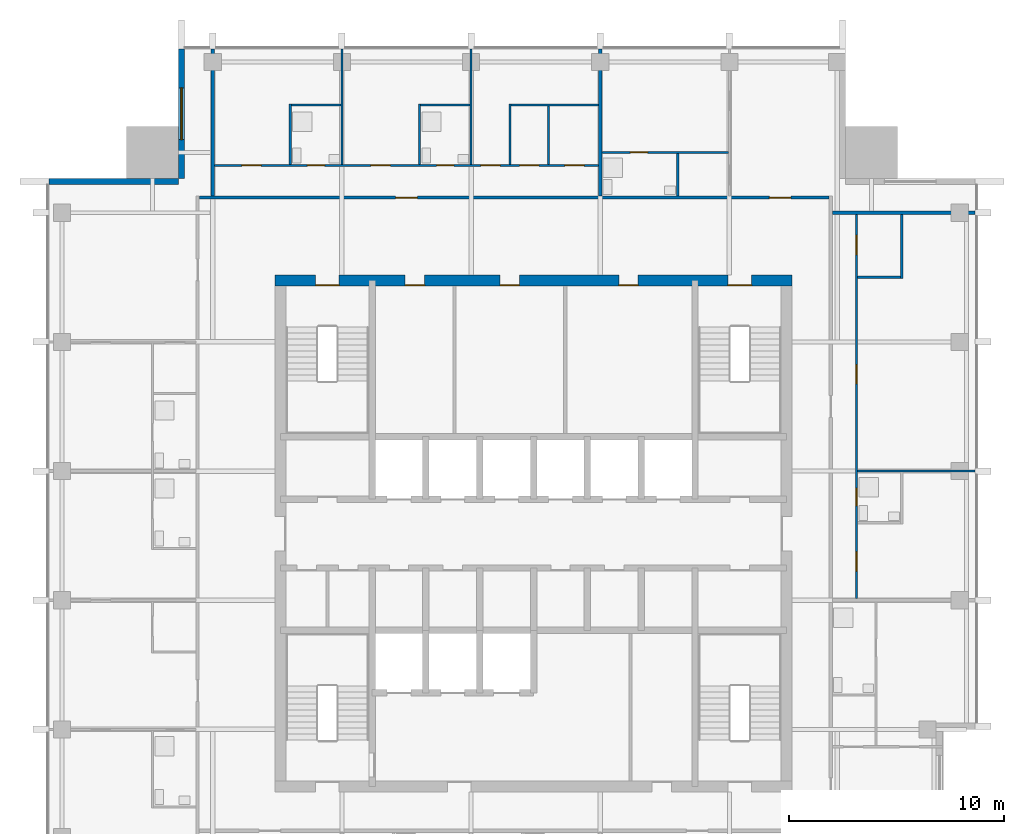
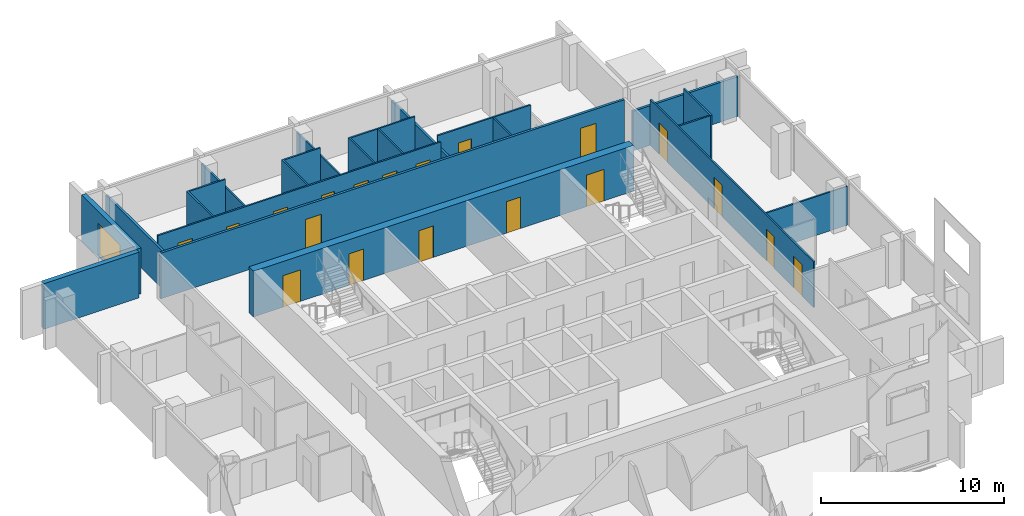
# One storey, part 6 of 9: 23 walls, 19 doors, 1 window, 20 openings.
"""IFC4 building model written with IfcOpenShell, lengths in metres."""

from ifc_helpers import new_model, si_unit, direction, frame, frame_2d, origin, place, context, subcontext, project, spatial, rectangle, extrude, material, layer, layer_set, type_object, element, fill, save


model = new_model("IFC4")

# Units and contexts
model_context = context("Model", 3, precision=1e-05, world=origin(), true_north=direction((0.0, 1.0)))
body_context = subcontext(model_context, "Body", "Model", "MODEL_VIEW")
ifc_project = project(units=[si_unit("LENGTHUNIT", "METRE"), si_unit("AREAUNIT", "SQUARE_METRE"), si_unit("VOLUMEUNIT", "CUBIC_METRE"), si_unit("PLANEANGLEUNIT", "RADIAN"), si_unit("MASSUNIT", "GRAM", prefix="KILO")], contexts=[model_context])

# Site, building, storey
site_placement = place(None, origin())
site = spatial("IfcSite", under=ifc_project, at=site_placement, CompositionType="ELEMENT")
building_placement = place(site_placement, origin())
building = spatial("IfcBuilding", under=site, at=building_placement, Name="Amberfall Residences", CompositionType="ELEMENT")
storey_placement = place(building_placement, frame((0.0, 0.0, 248.800048828125)))
storey = spatial("IfcBuildingStorey", under=building, at=storey_placement, Name="L66", CompositionType="ELEMENT", Elevation=248.800048828125)

# Wall, opening, window
ifc_material_1 = material(Name="Pale stone cladding on insulated backing", Category="masonry")
ifc_layer_1 = layer(ifc_material_1, 0.300048828125)
ifc_layer_set_1 = layer_set([ifc_layer_1], Name="Bronze clad wall 300")
wall_type_1 = type_object("IfcWallType", Name="Bronze clad wall 300", PredefinedType="SOLIDWALL", material=ifc_layer_set_1)
wall_1_placement = place(storey_placement, frame((58.14990234375, 68.0, 0.0), z_axis=(0.0, 0.0, 1.0), x_axis=(0.0, -1.0, 0.0)))
wall_1 = element("IfcWall", 1, at=wall_1_placement, inside=storey, type_object=wall_type_1, Name="External wall L66 NW", PredefinedType="SOLIDWALL", context=body_context, shape_type="SweptSolid", body=[
    extrude(rectangle(XDim=6.0, YDim=0.300048828125, at=frame_2d((3.0, 0.0))), origin(), (0.0, 0.0, 1.0), 3.050048828125),
])
opening_1_placement = place(wall_1_placement, frame((1.800048828125, 0.0, 0.14990234375)))
opening_1 = element("IfcOpeningElement", 2, at=opening_1_placement, cuts=wall_1, Name="Opening WN5", PredefinedType="OPENING", context=body_context, shape_type="SweptSolid", body=[
    extrude(rectangle(XDim=2.39990234375, YDim=2.10009765625, at=frame_2d((1.199951171875, 1.050048828125))), frame((0.0, 0.159912109375, 0.0), z_axis=(0.0, -1.0, 0.0), x_axis=(1.0, 0.0, 0.0)), (0.0, 0.0, 1.0), 0.320068359375),
])
ifc_material_2 = material(Name="Bronze aluminium framed glazing", Category="aluminium")
window_type = type_object("IfcWindowType", Name="Glazed opening 2400 x 2100 bronze", PartitioningType="DOUBLE_PANEL_VERTICAL", PredefinedType="WINDOW", material=ifc_material_2)
window_placement = place(opening_1_placement, origin())
window = element("IfcWindow", 3, at=window_placement, inside=storey, type_object=window_type, Name="Window L66 NW", OverallHeight=2.10009765625, OverallWidth=2.39990234375, PartitioningType="DOUBLE_PANEL_VERTICAL", PredefinedType="WINDOW", context=body_context, shape_type="SweptSolid", body=[
    extrude(rectangle(XDim=2.39990234375, YDim=2.10009765625, at=frame_2d((1.199951171875, 1.050048828125))), frame((0.0, 0.030029296875, 0.0), z_axis=(0.0, -1.0, 0.0), x_axis=(1.0, 0.0, 0.0)), (0.0, 0.0, 1.0), 0.06005859375),
])
fill(opening_1, window)

# Wall
wall_2_placement = place(storey_placement, frame((58.0, 61.85009765625, 0.0), z_axis=(0.0, 0.0, 1.0), x_axis=(-1.0, 0.0, 0.0)))
element("IfcWall", 4, at=wall_2_placement, inside=storey, type_object=wall_type_1, Name="External wall L66 NW", PredefinedType="SOLIDWALL", context=body_context, shape_type="SweptSolid", body=[
    extrude(rectangle(XDim=6.0, YDim=0.300048828125, at=frame_2d((3.0, 0.0))), origin(), (0.0, 0.0, 1.0), 3.050048828125),
])

# Wall, openings, doors
ifc_material_3 = material(Name="Concrete C50", Category="concrete")
ifc_layer_2 = layer(ifc_material_3, 0.5)
ifc_layer_set_2 = layer_set([ifc_layer_2], Name="Core wall 500 C50")
wall_type_2 = type_object("IfcWallType", Name="Core wall 500 C50", PredefinedType="SHEAR", material=ifc_layer_set_2)
wall_3_placement = place(storey_placement, frame((62.5, 57.25, 0.0), z_axis=(0.0, 0.0, 1.0), x_axis=(1.0, 0.0, 0.0)))
wall_3 = element("IfcWall", 5, at=wall_3_placement, inside=storey, type_object=wall_type_2, Name="Core wall RW9 L66 ON", PredefinedType="SHEAR", context=body_context, shape_type="SweptSolid", body=[
    extrude(rectangle(XDim=24.0, YDim=0.5, at=frame_2d((12.0, 0.0))), origin(), (0.0, 0.0, 1.0), 3.050048828125),
])
opening_2_placement = place(wall_3_placement, frame((21.02490234375, 0.0, 0.0)))
opening_2 = element("IfcOpeningElement", 6, at=opening_2_placement, cuts=wall_3, Name="Opening SD1", PredefinedType="OPENING", context=body_context, shape_type="SweptSolid", body=[
    extrude(rectangle(XDim=1.10009765625, YDim=2.10009765625, at=frame_2d((0.550048828125, 1.050048828125))), frame((0.0, 0.260009765625, 0.0), z_axis=(0.0, -1.0, 0.0), x_axis=(1.0, 0.0, 0.0)), (0.0, 0.0, 1.0), 0.52001953125),
])
opening_3_placement = place(wall_3_placement, frame((1.875, 0.0, 0.0)))
opening_3 = element("IfcOpeningElement", 7, at=opening_3_placement, cuts=wall_3, Name="Opening SD1", PredefinedType="OPENING", context=body_context, shape_type="SweptSolid", body=[
    extrude(rectangle(XDim=1.10009765625, YDim=2.10009765625, at=frame_2d((0.550048828125, 1.050048828125))), frame((0.0, 0.260009765625, 0.0), z_axis=(0.0, -1.0, 0.0), x_axis=(1.0, 0.0, 0.0)), (0.0, 0.0, 1.0), 0.52001953125),
])
opening_4_placement = place(wall_3_placement, frame((6.03759765625, 0.0, 0.0)))
opening_4 = element("IfcOpeningElement", 8, at=opening_4_placement, cuts=wall_3, Name="Opening RD1", PredefinedType="OPENING", context=body_context, shape_type="SweptSolid", body=[
    extrude(rectangle(XDim=0.89990234375, YDim=2.10009765625, at=frame_2d((0.449951171875, 1.050048828125))), frame((0.0, 0.260009765625, 0.0), z_axis=(0.0, -1.0, 0.0), x_axis=(1.0, 0.0, 0.0)), (0.0, 0.0, 1.0), 0.52001953125),
])
opening_5_placement = place(wall_3_placement, frame((10.447509765625, 0.0, 0.0)))
opening_5 = element("IfcOpeningElement", 9, at=opening_5_placement, cuts=wall_3, Name="Opening RD1", PredefinedType="OPENING", context=body_context, shape_type="SweptSolid", body=[
    extrude(rectangle(XDim=0.89990234375, YDim=2.10009765625, at=frame_2d((0.449951171875, 1.050048828125))), frame((0.0, 0.260009765625, 0.0), z_axis=(0.0, -1.0, 0.0), x_axis=(1.0, 0.0, 0.0)), (0.0, 0.0, 1.0), 0.52001953125),
])
opening_6_placement = place(wall_3_placement, frame((15.9599609375, 0.0, 0.0)))
opening_6 = element("IfcOpeningElement", 10, at=opening_6_placement, cuts=wall_3, Name="Opening RD1", PredefinedType="OPENING", context=body_context, shape_type="SweptSolid", body=[
    extrude(rectangle(XDim=0.89990234375, YDim=2.10009765625, at=frame_2d((0.449951171875, 1.050048828125))), frame((0.0, 0.260009765625, 0.0), z_axis=(0.0, -1.0, 0.0), x_axis=(1.0, 0.0, 0.0)), (0.0, 0.0, 1.0), 0.52001953125),
])
ifc_material_4 = material(Name="Steel fire door set", Category="steel")
door_type_1 = type_object("IfcDoorType", Name="Service room door 900 x 2100", OperationType="SINGLE_SWING_LEFT", PredefinedType="DOOR", material=ifc_material_4)
door_1_placement = place(opening_4_placement, origin())
door_1 = element("IfcDoor", 11, at=door_1_placement, inside=storey, type_object=door_type_1, Name="RD1 L66", OperationType="SINGLE_SWING_RIGHT", OverallHeight=2.10009765625, OverallWidth=0.89990234375, PredefinedType="DOOR", context=body_context, shape_type="SweptSolid", body=[
    extrude(rectangle(XDim=0.89990234375, YDim=2.10009765625, at=frame_2d((0.449951171875, 1.050048828125))), frame((0.0, -0.1875, 0.0), z_axis=(0.0, -1.0, 0.0), x_axis=(1.0, 0.0, 0.0)), (0.0, 0.0, 1.0), 0.050048828125),
])
fill(opening_4, door_1)
door_2_placement = place(opening_5_placement, origin())
door_2 = element("IfcDoor", 12, at=door_2_placement, inside=storey, type_object=door_type_1, Name="RD1 L66", OperationType="SINGLE_SWING_RIGHT", OverallHeight=2.10009765625, OverallWidth=0.89990234375, PredefinedType="DOOR", context=body_context, shape_type="SweptSolid", body=[
    extrude(rectangle(XDim=0.89990234375, YDim=2.10009765625, at=frame_2d((0.449951171875, 1.050048828125))), frame((0.0, -0.1875, 0.0), z_axis=(0.0, -1.0, 0.0), x_axis=(1.0, 0.0, 0.0)), (0.0, 0.0, 1.0), 0.050048828125),
])
fill(opening_5, door_2)
door_3_placement = place(opening_6_placement, origin())
door_3 = element("IfcDoor", 13, at=door_3_placement, inside=storey, type_object=door_type_1, Name="RD1 L66", OperationType="SINGLE_SWING_RIGHT", OverallHeight=2.10009765625, OverallWidth=0.89990234375, PredefinedType="DOOR", context=body_context, shape_type="SweptSolid", body=[
    extrude(rectangle(XDim=0.89990234375, YDim=2.10009765625, at=frame_2d((0.449951171875, 1.050048828125))), frame((0.0, -0.1875, 0.0), z_axis=(0.0, -1.0, 0.0), x_axis=(1.0, 0.0, 0.0)), (0.0, 0.0, 1.0), 0.050048828125),
])
fill(opening_6, door_3)
door_type_2 = type_object("IfcDoorType", Name="Stair door 1100 x 2100", OperationType="SINGLE_SWING_LEFT", PredefinedType="DOOR", material=ifc_material_4)
door_4_placement = place(opening_2_placement, origin())
door_4 = element("IfcDoor", 14, at=door_4_placement, inside=storey, type_object=door_type_2, Name="SD1 L66", OperationType="SINGLE_SWING_RIGHT", OverallHeight=2.10009765625, OverallWidth=1.10009765625, PredefinedType="DOOR", context=body_context, shape_type="SweptSolid", body=[
    extrude(rectangle(XDim=1.10009765625, YDim=2.10009765625, at=frame_2d((0.550048828125, 1.050048828125))), frame((0.0, -0.1875, 0.0), z_axis=(0.0, -1.0, 0.0), x_axis=(1.0, 0.0, 0.0)), (0.0, 0.0, 1.0), 0.050048828125),
])
fill(opening_2, door_4)
door_5_placement = place(opening_3_placement, origin())
door_5 = element("IfcDoor", 15, at=door_5_placement, inside=storey, type_object=door_type_2, Name="SD1 L66", OperationType="SINGLE_SWING_LEFT", OverallHeight=2.10009765625, OverallWidth=1.10009765625, PredefinedType="DOOR", context=body_context, shape_type="SweptSolid", body=[
    extrude(rectangle(XDim=1.10009765625, YDim=2.10009765625, at=frame_2d((0.550048828125, 1.050048828125))), frame((0.0, -0.1875, 0.0), z_axis=(0.0, -1.0, 0.0), x_axis=(1.0, 0.0, 0.0)), (0.0, 0.0, 1.0), 0.050048828125),
])
fill(opening_3, door_5)

# Walls
ifc_material_5 = material(Name="Gypsum board on metal stud")
ifc_layer_3 = layer(ifc_material_5, 0.10009765625)
ifc_layer_set_3 = layer_set([ifc_layer_3], Name="Flat partition 100")
wall_type_3 = type_object("IfcWallType", Name="Flat partition 100", PredefinedType="PARTITIONING", material=ifc_layer_set_3)
wall_4_placement = place(storey_placement, frame((63.199951171875, 62.64990234375, 0.0), z_axis=(0.0, 0.0, 1.0), x_axis=(0.0, 1.0, 0.0)))
element("IfcWall", 16, at=wall_4_placement, inside=storey, type_object=wall_type_3, Name="Partition 004", PredefinedType="PARTITIONING", context=body_context, shape_type="SweptSolid", body=[
    extrude(rectangle(XDim=2.800048828125, YDim=0.10009765625, at=frame_2d((1.39990234375, 0.0))), origin(), (0.0, 0.0, 1.0), 3.050048828125),
])
wall_5_placement = place(storey_placement, frame((65.60009765625, 62.64990234375, 0.0), z_axis=(0.0, 0.0, 1.0), x_axis=(0.0, 1.0, 0.0)))
element("IfcWall", 17, at=wall_5_placement, inside=storey, type_object=wall_type_3, Name="Partition 006", PredefinedType="PARTITIONING", context=body_context, shape_type="SweptSolid", body=[
    extrude(rectangle(XDim=5.35009765625, YDim=0.10009765625, at=frame_2d((2.675048828125, 0.0))), origin(), (0.0, 0.0, 1.0), 2.515869140625),
])
wall_6_placement = place(storey_placement, frame((69.199951171875, 62.64990234375, 0.0), z_axis=(0.0, 0.0, 1.0), x_axis=(0.0, 1.0, 0.0)))
element("IfcWall", 18, at=wall_6_placement, inside=storey, type_object=wall_type_3, Name="Partition 008", PredefinedType="PARTITIONING", context=body_context, shape_type="SweptSolid", body=[
    extrude(rectangle(XDim=2.800048828125, YDim=0.10009765625, at=frame_2d((1.39990234375, 0.0))), origin(), (0.0, 0.0, 1.0), 3.050048828125),
])
wall_7_placement = place(storey_placement, frame((71.60009765625, 62.64990234375, 0.0), z_axis=(0.0, 0.0, 1.0), x_axis=(0.0, 1.0, 0.0)))
element("IfcWall", 19, at=wall_7_placement, inside=storey, type_object=wall_type_3, Name="Partition 009", PredefinedType="PARTITIONING", context=body_context, shape_type="SweptSolid", body=[
    extrude(rectangle(XDim=5.35009765625, YDim=0.10009765625, at=frame_2d((2.675048828125, 0.0))), origin(), (0.0, 0.0, 1.0), 2.515869140625),
])
wall_8_placement = place(storey_placement, frame((73.39990234375, 62.64990234375, 0.0), z_axis=(0.0, 0.0, 1.0), x_axis=(0.0, 1.0, 0.0)))
element("IfcWall", 20, at=wall_8_placement, inside=storey, type_object=wall_type_3, Name="Partition 010", PredefinedType="PARTITIONING", context=body_context, shape_type="SweptSolid", body=[
    extrude(rectangle(XDim=2.800048828125, YDim=0.10009765625, at=frame_2d((1.39990234375, 0.0))), origin(), (0.0, 0.0, 1.0), 3.050048828125),
])
wall_9_placement = place(storey_placement, frame((75.199951171875, 62.64990234375, 0.0), z_axis=(0.0, 0.0, 1.0), x_axis=(0.0, 1.0, 0.0)))
element("IfcWall", 21, at=wall_9_placement, inside=storey, type_object=wall_type_3, Name="Partition 012", PredefinedType="PARTITIONING", context=body_context, shape_type="SweptSolid", body=[
    extrude(rectangle(XDim=2.7001953125, YDim=0.10009765625, at=frame_2d((1.35009765625, 0.0))), origin(), (0.0, 0.0, 1.0), 3.050048828125),
])
wall_10_placement = place(storey_placement, frame((81.199951171875, 61.175048828125, 0.0), z_axis=(0.0, 0.0, 1.0), x_axis=(0.0, 1.0, 0.0)))
element("IfcWall", 22, at=wall_10_placement, inside=storey, type_object=wall_type_3, Name="Partition 014", PredefinedType="PARTITIONING", context=body_context, shape_type="SweptSolid", body=[
    extrude(rectangle(XDim=1.974853515625, YDim=0.10009765625, at=frame_2d((0.9873046875, 0.0))), origin(), (0.0, 0.0, 1.0), 3.050048828125),
])

# Wall, openings, doors
wall_11_placement = place(storey_placement, frame((89.5, 60.324951171875, 0.0), z_axis=(0.0, 0.0, 1.0), x_axis=(0.0, -1.0, 0.0)))
wall_11 = element("IfcWall", 23, at=wall_11_placement, inside=storey, type_object=wall_type_3, Name="Partition 017", PredefinedType="PARTITIONING", context=body_context, shape_type="SweptSolid", body=[
    extrude(rectangle(XDim=17.849853515625, YDim=0.10009765625, at=frame_2d((8.9248046875, 0.0))), origin(), (0.0, 0.0, 1.0), 3.050048828125),
])
opening_7_placement = place(wall_11_placement, frame((6.97509765625, 0.0, 0.0)))
opening_7 = element("IfcOpeningElement", 24, at=opening_7_placement, cuts=wall_11, Name="Opening D41", PredefinedType="OPENING", context=body_context, shape_type="SweptSolid", body=[
    extrude(rectangle(XDim=0.89990234375, YDim=2.10009765625, at=frame_2d((0.449951171875, 1.050048828125))), frame((0.0, 0.06005859375, 0.0), z_axis=(0.0, -1.0, 0.0), x_axis=(1.0, 0.0, 0.0)), (0.0, 0.0, 1.0), 0.1201171875),
])
opening_8_placement = place(wall_11_placement, frame((0.97509765625, 0.0, 0.0)))
opening_8 = element("IfcOpeningElement", 25, at=opening_8_placement, cuts=wall_11, Name="Opening D41", PredefinedType="OPENING", context=body_context, shape_type="SweptSolid", body=[
    extrude(rectangle(XDim=0.89990234375, YDim=2.10009765625, at=frame_2d((0.449951171875, 1.050048828125))), frame((0.0, 0.06005859375, 0.0), z_axis=(0.0, -1.0, 0.0), x_axis=(1.0, 0.0, 0.0)), (0.0, 0.0, 1.0), 0.1201171875),
])
opening_9_placement = place(wall_11_placement, frame((15.675048828125, 0.0, 0.0)))
opening_9 = element("IfcOpeningElement", 26, at=opening_9_placement, cuts=wall_11, Name="Opening D41", PredefinedType="OPENING", context=body_context, shape_type="SweptSolid", body=[
    extrude(rectangle(XDim=0.89990234375, YDim=2.10009765625, at=frame_2d((0.449951171875, 1.050048828125))), frame((0.0, 0.06005859375, 0.0), z_axis=(0.0, -1.0, 0.0), x_axis=(1.0, 0.0, 0.0)), (0.0, 0.0, 1.0), 0.1201171875),
])
opening_10_placement = place(wall_11_placement, frame((12.72509765625, 0.0, 0.0)))
opening_10 = element("IfcOpeningElement", 27, at=opening_10_placement, cuts=wall_11, Name="Opening D42", PredefinedType="OPENING", context=body_context, shape_type="SweptSolid", body=[
    extrude(rectangle(XDim=0.800048828125, YDim=2.10009765625, at=frame_2d((0.39990234375, 1.050048828125))), frame((0.0, 0.06005859375, 0.0), z_axis=(0.0, -1.0, 0.0), x_axis=(1.0, 0.0, 0.0)), (0.0, 0.0, 1.0), 0.1201171875),
])
ifc_material_6 = material(Name="Timber", Category="wood")
door_type_3 = type_object("IfcDoorType", Name="Bathroom door 800 x 2100", OperationType="SINGLE_SWING_LEFT", PredefinedType="DOOR", material=ifc_material_6)
door_6_placement = place(opening_10_placement, origin())
door_6 = element("IfcDoor", 28, at=door_6_placement, inside=storey, type_object=door_type_3, Name="Door 6604 bath1", OperationType="SINGLE_SWING_LEFT", OverallHeight=2.10009765625, OverallWidth=0.800048828125, PredefinedType="DOOR", context=body_context, shape_type="SweptSolid", body=[
    extrude(rectangle(XDim=0.800048828125, YDim=2.10009765625, at=frame_2d((0.39990234375, 1.050048828125))), frame((0.0, 0.02490234375, 0.0), z_axis=(0.0, -1.0, 0.0), x_axis=(1.0, 0.0, 0.0)), (0.0, 0.0, 1.0), 0.050048828125),
])
fill(opening_10, door_6)
door_type_4 = type_object("IfcDoorType", Name="Internal door 900 x 2100", OperationType="SINGLE_SWING_LEFT", PredefinedType="DOOR", material=ifc_material_6)
door_7_placement = place(opening_7_placement, origin())
door_7 = element("IfcDoor", 29, at=door_7_placement, inside=storey, type_object=door_type_4, Name="Door 6604 living", OperationType="SINGLE_SWING_LEFT", OverallHeight=2.10009765625, OverallWidth=0.89990234375, PredefinedType="DOOR", context=body_context, shape_type="SweptSolid", body=[
    extrude(rectangle(XDim=0.89990234375, YDim=2.10009765625, at=frame_2d((0.449951171875, 1.050048828125))), frame((0.0, 0.02490234375, 0.0), z_axis=(0.0, -1.0, 0.0), x_axis=(1.0, 0.0, 0.0)), (0.0, 0.0, 1.0), 0.050048828125),
])
fill(opening_7, door_7)
door_8_placement = place(opening_8_placement, origin())
door_8 = element("IfcDoor", 30, at=door_8_placement, inside=storey, type_object=door_type_4, Name="Door 6604 kitchen", OperationType="SINGLE_SWING_LEFT", OverallHeight=2.10009765625, OverallWidth=0.89990234375, PredefinedType="DOOR", context=body_context, shape_type="SweptSolid", body=[
    extrude(rectangle(XDim=0.89990234375, YDim=2.10009765625, at=frame_2d((0.449951171875, 1.050048828125))), frame((0.0, 0.02490234375, 0.0), z_axis=(0.0, -1.0, 0.0), x_axis=(1.0, 0.0, 0.0)), (0.0, 0.0, 1.0), 0.050048828125),
])
fill(opening_8, door_8)
door_9_placement = place(opening_9_placement, origin())
door_9 = element("IfcDoor", 31, at=door_9_placement, inside=storey, type_object=door_type_4, Name="Door 6604 bedroom1", OperationType="SINGLE_SWING_LEFT", OverallHeight=2.10009765625, OverallWidth=0.89990234375, PredefinedType="DOOR", context=body_context, shape_type="SweptSolid", body=[
    extrude(rectangle(XDim=0.89990234375, YDim=2.10009765625, at=frame_2d((0.449951171875, 1.050048828125))), frame((0.0, 0.02490234375, 0.0), z_axis=(0.0, -1.0, 0.0), x_axis=(1.0, 0.0, 0.0)), (0.0, 0.0, 1.0), 0.050048828125),
])
fill(opening_9, door_9)

# Walls
wall_12_placement = place(storey_placement, frame((91.60009765625, 57.35009765625, 0.0), z_axis=(0.0, 0.0, 1.0), x_axis=(0.0, 1.0, 0.0)))
element("IfcWall", 32, at=wall_12_placement, inside=storey, type_object=wall_type_3, Name="Partition 020", PredefinedType="PARTITIONING", context=body_context, shape_type="SweptSolid", body=[
    extrude(rectangle(XDim=2.974853515625, YDim=0.10009765625, at=frame_2d((1.4873046875, 0.0))), origin(), (0.0, 0.0, 1.0), 3.050048828125),
])
for number, where, z_axis, x_axis, name in (
    (33, (63.25, 65.39990234375, 0.0), (0.0, 0.0, 1.0), (1.0, 0.0, 0.0), "Partition 021"),
    (34, (69.25, 65.39990234375, 0.0), (0.0, 0.0, 1.0), (1.0, 0.0, 0.0), "Partition 022"),
):
    element("IfcWall", number, at=place(storey_placement, frame(where, z_axis=z_axis, x_axis=x_axis)), inside=storey, type_object=wall_type_3, Name=name, PredefinedType="PARTITIONING", context=body_context, shape_type="SweptSolid", body=[
        extrude(rectangle(XDim=2.300048828125, YDim=0.10009765625, at=frame_2d((1.14990234375, 0.0))), origin(), (0.0, 0.0, 1.0), 3.050048828125),
    ])
wall_13_placement = place(storey_placement, frame((73.449951171875, 65.39990234375, 0.0), z_axis=(0.0, 0.0, 1.0), x_axis=(1.0, 0.0, 0.0)))
element("IfcWall", 35, at=wall_13_placement, inside=storey, type_object=wall_type_3, Name="Partition 023", PredefinedType="PARTITIONING", context=body_context, shape_type="SweptSolid", body=[
    extrude(rectangle(XDim=4.074951171875, YDim=0.10009765625, at=frame_2d((2.03759765625, 0.0))), origin(), (0.0, 0.0, 1.0), 3.050048828125),
])

# Wall, opening, door
wall_14_placement = place(storey_placement, frame((83.550048828125, 63.199951171875, 0.0), z_axis=(0.0, 0.0, 1.0), x_axis=(-1.0, 0.0, 0.0)))
wall_14 = element("IfcWall", 36, at=wall_14_placement, inside=storey, type_object=wall_type_3, Name="Partition 024", PredefinedType="PARTITIONING", context=body_context, shape_type="SweptSolid", body=[
    extrude(rectangle(XDim=5.875, YDim=0.10009765625, at=frame_2d((2.9375, 0.0))), origin(), (0.0, 0.0, 1.0), 3.050048828125),
])
opening_11_placement = place(wall_14_placement, frame((3.75, 0.0, 0.0)))
opening_11 = element("IfcOpeningElement", 37, at=opening_11_placement, cuts=wall_14, Name="Opening D42", PredefinedType="OPENING", context=body_context, shape_type="SweptSolid", body=[
    extrude(rectangle(XDim=0.800048828125, YDim=2.10009765625, at=frame_2d((0.39990234375, 1.050048828125))), frame((0.0, 0.06005859375, 0.0), z_axis=(0.0, -1.0, 0.0), x_axis=(1.0, 0.0, 0.0)), (0.0, 0.0, 1.0), 0.1201171875),
])
door_10_placement = place(opening_11_placement, origin())
door_10 = element("IfcDoor", 38, at=door_10_placement, inside=storey, type_object=door_type_3, Name="Door 6606 bath1", OperationType="SINGLE_SWING_LEFT", OverallHeight=2.10009765625, OverallWidth=0.800048828125, PredefinedType="DOOR", context=body_context, shape_type="SweptSolid", body=[
    extrude(rectangle(XDim=0.800048828125, YDim=2.10009765625, at=frame_2d((0.39990234375, 1.050048828125))), frame((0.0, 0.02490234375, 0.0), z_axis=(0.0, -1.0, 0.0), x_axis=(1.0, 0.0, 0.0)), (0.0, 0.0, 1.0), 0.050048828125),
])
fill(opening_11, door_10)

# Wall, openings, doors
wall_15_placement = place(storey_placement, frame((59.675048828125, 62.60009765625, 0.0), z_axis=(0.0, 0.0, 1.0), x_axis=(1.0, 0.0, 0.0)))
wall_15 = element("IfcWall", 39, at=wall_15_placement, inside=storey, type_object=wall_type_3, Name="Partition 025", PredefinedType="PARTITIONING", context=body_context, shape_type="SweptSolid", body=[
    extrude(rectangle(XDim=17.849853515625, YDim=0.10009765625, at=frame_2d((8.9248046875, 0.0))), origin(), (0.0, 0.0, 1.0), 3.050048828125),
])
opening_12_placement = place(wall_15_placement, frame((12.375, 0.0, 0.0)))
opening_12 = element("IfcOpeningElement", 40, at=opening_12_placement, cuts=wall_15, Name="Opening D41", PredefinedType="OPENING", context=body_context, shape_type="SweptSolid", body=[
    extrude(rectangle(XDim=0.89990234375, YDim=2.10009765625, at=frame_2d((0.449951171875, 1.050048828125))), frame((0.0, 0.06005859375, 0.0), z_axis=(0.0, -1.0, 0.0), x_axis=(1.0, 0.0, 0.0)), (0.0, 0.0, 1.0), 0.1201171875),
])
opening_13_placement = place(wall_15_placement, frame((16.27490234375, 0.0, 0.0)))
opening_13 = element("IfcOpeningElement", 41, at=opening_13_placement, cuts=wall_15, Name="Opening D41", PredefinedType="OPENING", context=body_context, shape_type="SweptSolid", body=[
    extrude(rectangle(XDim=0.89990234375, YDim=2.10009765625, at=frame_2d((0.449951171875, 1.050048828125))), frame((0.0, 0.06005859375, 0.0), z_axis=(0.0, -1.0, 0.0), x_axis=(1.0, 0.0, 0.0)), (0.0, 0.0, 1.0), 0.1201171875),
])
opening_14_placement = place(wall_15_placement, frame((14.175048828125, 0.0, 0.0)))
opening_14 = element("IfcOpeningElement", 42, at=opening_14_placement, cuts=wall_15, Name="Opening D41", PredefinedType="OPENING", context=body_context, shape_type="SweptSolid", body=[
    extrude(rectangle(XDim=0.89990234375, YDim=2.10009765625, at=frame_2d((0.449951171875, 1.050048828125))), frame((0.0, 0.06005859375, 0.0), z_axis=(0.0, -1.0, 0.0), x_axis=(1.0, 0.0, 0.0)), (0.0, 0.0, 1.0), 0.1201171875),
])
opening_15_placement = place(wall_15_placement, frame((1.27490234375, 0.0, 0.0)))
opening_15 = element("IfcOpeningElement", 43, at=opening_15_placement, cuts=wall_15, Name="Opening D41", PredefinedType="OPENING", context=body_context, shape_type="SweptSolid", body=[
    extrude(rectangle(XDim=0.89990234375, YDim=2.10009765625, at=frame_2d((0.449951171875, 1.050048828125))), frame((0.0, 0.06005859375, 0.0), z_axis=(0.0, -1.0, 0.0), x_axis=(1.0, 0.0, 0.0)), (0.0, 0.0, 1.0), 0.1201171875),
])
opening_16_placement = place(wall_15_placement, frame((7.27490234375, 0.0, 0.0)))
opening_16 = element("IfcOpeningElement", 44, at=opening_16_placement, cuts=wall_15, Name="Opening D41", PredefinedType="OPENING", context=body_context, shape_type="SweptSolid", body=[
    extrude(rectangle(XDim=0.89990234375, YDim=2.10009765625, at=frame_2d((0.449951171875, 1.050048828125))), frame((0.0, 0.06005859375, 0.0), z_axis=(0.0, -1.0, 0.0), x_axis=(1.0, 0.0, 0.0)), (0.0, 0.0, 1.0), 0.1201171875),
])
opening_17_placement = place(wall_15_placement, frame((4.324951171875, 0.0, 0.0)))
opening_17 = element("IfcOpeningElement", 45, at=opening_17_placement, cuts=wall_15, Name="Opening D42", PredefinedType="OPENING", context=body_context, shape_type="SweptSolid", body=[
    extrude(rectangle(XDim=0.800048828125, YDim=2.10009765625, at=frame_2d((0.39990234375, 1.050048828125))), frame((0.0, 0.06005859375, 0.0), z_axis=(0.0, -1.0, 0.0), x_axis=(1.0, 0.0, 0.0)), (0.0, 0.0, 1.0), 0.1201171875),
])
opening_18_placement = place(wall_15_placement, frame((10.324951171875, 0.0, 0.0)))
opening_18 = element("IfcOpeningElement", 46, at=opening_18_placement, cuts=wall_15, Name="Opening D42", PredefinedType="OPENING", context=body_context, shape_type="SweptSolid", body=[
    extrude(rectangle(XDim=0.800048828125, YDim=2.10009765625, at=frame_2d((0.39990234375, 1.050048828125))), frame((0.0, 0.06005859375, 0.0), z_axis=(0.0, -1.0, 0.0), x_axis=(1.0, 0.0, 0.0)), (0.0, 0.0, 1.0), 0.1201171875),
])
door_11_placement = place(opening_17_placement, origin())
door_11 = element("IfcDoor", 47, at=door_11_placement, inside=storey, type_object=door_type_3, Name="Door 6605 bath1", OperationType="SINGLE_SWING_LEFT", OverallHeight=2.10009765625, OverallWidth=0.800048828125, PredefinedType="DOOR", context=body_context, shape_type="SweptSolid", body=[
    extrude(rectangle(XDim=0.800048828125, YDim=2.10009765625, at=frame_2d((0.39990234375, 1.050048828125))), frame((0.0, 0.02490234375, 0.0), z_axis=(0.0, -1.0, 0.0), x_axis=(1.0, 0.0, 0.0)), (0.0, 0.0, 1.0), 0.050048828125),
])
fill(opening_17, door_11)
door_12_placement = place(opening_18_placement, origin())
door_12 = element("IfcDoor", 48, at=door_12_placement, inside=storey, type_object=door_type_3, Name="Door 6605 bath2", OperationType="SINGLE_SWING_LEFT", OverallHeight=2.10009765625, OverallWidth=0.800048828125, PredefinedType="DOOR", context=body_context, shape_type="SweptSolid", body=[
    extrude(rectangle(XDim=0.800048828125, YDim=2.10009765625, at=frame_2d((0.39990234375, 1.050048828125))), frame((0.0, 0.02490234375, 0.0), z_axis=(0.0, -1.0, 0.0), x_axis=(1.0, 0.0, 0.0)), (0.0, 0.0, 1.0), 0.050048828125),
])
fill(opening_18, door_12)
door_13_placement = place(opening_12_placement, origin())
door_13 = element("IfcDoor", 49, at=door_13_placement, inside=storey, type_object=door_type_4, Name="Door 6605 living", OperationType="SINGLE_SWING_LEFT", OverallHeight=2.10009765625, OverallWidth=0.89990234375, PredefinedType="DOOR", context=body_context, shape_type="SweptSolid", body=[
    extrude(rectangle(XDim=0.89990234375, YDim=2.10009765625, at=frame_2d((0.449951171875, 1.050048828125))), frame((0.0, 0.02490234375, 0.0), z_axis=(0.0, -1.0, 0.0), x_axis=(1.0, 0.0, 0.0)), (0.0, 0.0, 1.0), 0.050048828125),
])
fill(opening_12, door_13)
door_14_placement = place(opening_13_placement, origin())
door_14 = element("IfcDoor", 50, at=door_14_placement, inside=storey, type_object=door_type_4, Name="Door 6605 kitchen", OperationType="SINGLE_SWING_LEFT", OverallHeight=2.10009765625, OverallWidth=0.89990234375, PredefinedType="DOOR", context=body_context, shape_type="SweptSolid", body=[
    extrude(rectangle(XDim=0.89990234375, YDim=2.10009765625, at=frame_2d((0.449951171875, 1.050048828125))), frame((0.0, 0.02490234375, 0.0), z_axis=(0.0, -1.0, 0.0), x_axis=(1.0, 0.0, 0.0)), (0.0, 0.0, 1.0), 0.050048828125),
])
fill(opening_13, door_14)
door_15_placement = place(opening_14_placement, origin())
door_15 = element("IfcDoor", 51, at=door_15_placement, inside=storey, type_object=door_type_4, Name="Door 6605 utility", OperationType="SINGLE_SWING_LEFT", OverallHeight=2.10009765625, OverallWidth=0.89990234375, PredefinedType="DOOR", context=body_context, shape_type="SweptSolid", body=[
    extrude(rectangle(XDim=0.89990234375, YDim=2.10009765625, at=frame_2d((0.449951171875, 1.050048828125))), frame((0.0, 0.02490234375, 0.0), z_axis=(0.0, -1.0, 0.0), x_axis=(1.0, 0.0, 0.0)), (0.0, 0.0, 1.0), 0.050048828125),
])
fill(opening_14, door_15)
door_16_placement = place(opening_15_placement, origin())
door_16 = element("IfcDoor", 52, at=door_16_placement, inside=storey, type_object=door_type_4, Name="Door 6605 bedroom1", OperationType="SINGLE_SWING_LEFT", OverallHeight=2.10009765625, OverallWidth=0.89990234375, PredefinedType="DOOR", context=body_context, shape_type="SweptSolid", body=[
    extrude(rectangle(XDim=0.89990234375, YDim=2.10009765625, at=frame_2d((0.449951171875, 1.050048828125))), frame((0.0, 0.02490234375, 0.0), z_axis=(0.0, -1.0, 0.0), x_axis=(1.0, 0.0, 0.0)), (0.0, 0.0, 1.0), 0.050048828125),
])
fill(opening_15, door_16)
door_17_placement = place(opening_16_placement, origin())
door_17 = element("IfcDoor", 53, at=door_17_placement, inside=storey, type_object=door_type_4, Name="Door 6605 bedroom2", OperationType="SINGLE_SWING_LEFT", OverallHeight=2.10009765625, OverallWidth=0.89990234375, PredefinedType="DOOR", context=body_context, shape_type="SweptSolid", body=[
    extrude(rectangle(XDim=0.89990234375, YDim=2.10009765625, at=frame_2d((0.449951171875, 1.050048828125))), frame((0.0, 0.02490234375, 0.0), z_axis=(0.0, -1.0, 0.0), x_axis=(1.0, 0.0, 0.0)), (0.0, 0.0, 1.0), 0.050048828125),
])
fill(opening_16, door_17)

# Walls
wall_16_placement = place(storey_placement, frame((89.550048828125, 57.39990234375, 0.0), z_axis=(0.0, 0.0, 1.0), x_axis=(1.0, 0.0, 0.0)))
element("IfcWall", 54, at=wall_16_placement, inside=storey, type_object=wall_type_3, Name="Partition 026", PredefinedType="PARTITIONING", context=body_context, shape_type="SweptSolid", body=[
    extrude(rectangle(XDim=2.0, YDim=0.10009765625, at=frame_2d((1.0, 0.0))), origin(), (0.0, 0.0, 1.0), 3.050048828125),
])
wall_17_placement = place(storey_placement, frame((89.550048828125, 48.39990234375, 0.0), z_axis=(0.0, 0.0, 1.0), x_axis=(1.0, 0.0, 0.0)))
element("IfcWall", 55, at=wall_17_placement, inside=storey, type_object=wall_type_3, Name="Partition 029", PredefinedType="PARTITIONING", context=body_context, shape_type="SweptSolid", body=[
    extrude(rectangle(XDim=5.449951171875, YDim=0.10009765625, at=frame_2d((2.72509765625, 0.0))), origin(), (0.0, 0.0, 1.0), 2.58984375),
])
ifc_material_7 = material(Name="Blockwork, plastered", Category="masonry")
ifc_layer_4 = layer(ifc_material_7, 0.14990234375)
ifc_layer_set_4 = layer_set([ifc_layer_4], Name="Flat separating wall 150")
wall_type_4 = type_object("IfcWallType", Name="Flat separating wall 150", PredefinedType="PARTITIONING", material=ifc_layer_set_4)
wall_18_placement = place(storey_placement, frame((59.60009765625, 61.175048828125, 0.0), z_axis=(0.0, 0.0, 1.0), x_axis=(0.0, 1.0, 0.0)))
element("IfcWall", 56, at=wall_18_placement, inside=storey, type_object=wall_type_4, Name="Separating wall 042", PredefinedType="PARTITIONING", context=body_context, shape_type="SweptSolid", body=[
    extrude(rectangle(XDim=6.824951171875, YDim=0.14990234375, at=frame_2d((3.41259765625, 0.0))), origin(), (0.0, 0.0, 1.0), 2.510009765625),
])
wall_19_placement = place(storey_placement, frame((77.60009765625, 61.175048828125, 0.0), z_axis=(0.0, 0.0, 1.0), x_axis=(0.0, 1.0, 0.0)))
element("IfcWall", 57, at=wall_19_placement, inside=storey, type_object=wall_type_4, Name="Separating wall 044", PredefinedType="PARTITIONING", context=body_context, shape_type="SweptSolid", body=[
    extrude(rectangle(XDim=6.824951171875, YDim=0.14990234375, at=frame_2d((3.41259765625, 0.0))), origin(), (0.0, 0.0, 1.0), 2.515869140625),
])

# Wall, openings, doors
wall_20_placement = place(storey_placement, frame((58.97509765625, 61.10009765625, 0.0), z_axis=(0.0, 0.0, 1.0), x_axis=(1.0, 0.0, 0.0)))
wall_20 = element("IfcWall", 58, at=wall_20_placement, inside=storey, type_object=wall_type_4, Name="Separating wall 047", PredefinedType="PARTITIONING", context=body_context, shape_type="SweptSolid", body=[
    extrude(rectangle(XDim=29.25, YDim=0.14990234375, at=frame_2d((14.625, 0.0))), origin(), (0.0, 0.0, 1.0), 3.050048828125),
])
opening_19_placement = place(wall_20_placement, frame((9.125, 0.0, 0.0)))
opening_19 = element("IfcOpeningElement", 59, at=opening_19_placement, cuts=wall_20, Name="Opening D40", PredefinedType="OPENING", context=body_context, shape_type="SweptSolid", body=[
    extrude(rectangle(XDim=1.0, YDim=2.10009765625, at=frame_2d((0.5, 1.050048828125))), frame((0.0, 0.0849609375, 0.0), z_axis=(0.0, -1.0, 0.0), x_axis=(1.0, 0.0, 0.0)), (0.0, 0.0, 1.0), 0.169921875),
])
opening_20_placement = place(wall_20_placement, frame((26.47509765625, 0.0, 0.0)))
opening_20 = element("IfcOpeningElement", 60, at=opening_20_placement, cuts=wall_20, Name="Opening D40", PredefinedType="OPENING", context=body_context, shape_type="SweptSolid", body=[
    extrude(rectangle(XDim=1.0, YDim=2.10009765625, at=frame_2d((0.5, 1.050048828125))), frame((0.0, 0.0849609375, 0.0), z_axis=(0.0, -1.0, 0.0), x_axis=(1.0, 0.0, 0.0)), (0.0, 0.0, 1.0), 0.169921875),
])
ifc_material_8 = material(Name="Timber, fire-rated", Category="wood")
door_type_5 = type_object("IfcDoorType", Name="Flat entrance door FD60 1000 x 2100", OperationType="SINGLE_SWING_LEFT", PredefinedType="DOOR", material=ifc_material_8)
door_18_placement = place(opening_19_placement, origin())
door_18 = element("IfcDoor", 61, at=door_18_placement, inside=storey, type_object=door_type_5, Name="Door 6605 entrance", OperationType="SINGLE_SWING_LEFT", OverallHeight=2.10009765625, OverallWidth=1.0, PredefinedType="DOOR", context=body_context, shape_type="SweptSolid", body=[
    extrude(rectangle(XDim=1.0, YDim=2.10009765625, at=frame_2d((0.5, 1.050048828125))), frame((0.0, 0.02490234375, 0.0), z_axis=(0.0, -1.0, 0.0), x_axis=(1.0, 0.0, 0.0)), (0.0, 0.0, 1.0), 0.050048828125),
])
fill(opening_19, door_18)
door_19_placement = place(opening_20_placement, origin())
door_19 = element("IfcDoor", 62, at=door_19_placement, inside=storey, type_object=door_type_5, Name="Door 6606 entrance", OperationType="SINGLE_SWING_LEFT", OverallHeight=2.10009765625, OverallWidth=1.0, PredefinedType="DOOR", context=body_context, shape_type="SweptSolid", body=[
    extrude(rectangle(XDim=1.0, YDim=2.10009765625, at=frame_2d((0.5, 1.050048828125))), frame((0.0, 0.02490234375, 0.0), z_axis=(0.0, -1.0, 0.0), x_axis=(1.0, 0.0, 0.0)), (0.0, 0.0, 1.0), 0.050048828125),
])
fill(opening_20, door_19)

# Wall
wall_21_placement = place(storey_placement, frame((88.375, 60.39990234375, 0.0), z_axis=(0.0, 0.0, 1.0), x_axis=(1.0, 0.0, 0.0)))
element("IfcWall", 63, at=wall_21_placement, inside=storey, type_object=wall_type_4, Name="Separating wall 048", PredefinedType="PARTITIONING", context=body_context, shape_type="SweptSolid", body=[
    extrude(rectangle(XDim=6.625, YDim=0.14990234375, at=frame_2d((3.3125, 0.0))), origin(), (0.0, 0.0, 1.0), 2.64697265625),
])

save(model, "model.ifc")
